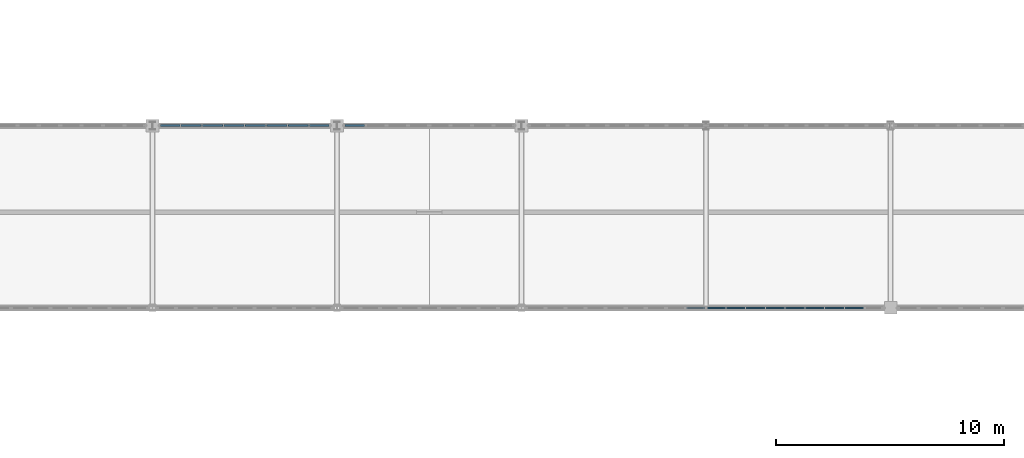
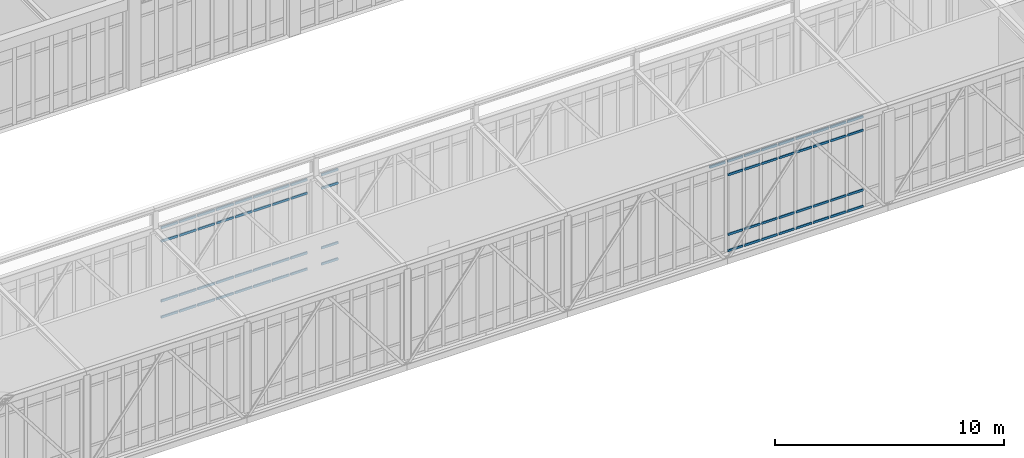
# One storey, part 58 of 107: 69 members, 4 elements without a shape of their own.
"""IFC4 building model written with IfcOpenShell, lengths in metres."""

import ifcopenshell
import ifcopenshell.guid

model = None  # the IFC model being written
_history = None  # IfcOwnerHistory: only IFC2X3 demands one
_inside = {}  # id of a spatial element -> (the spatial element, [elements in it])
_under = {}  # id of a project, library or spatial element -> (it, [spatial elements below it])
_declared = {}  # id of a project -> (the project, [libraries it declares])
_typed = {}  # id of a type object -> (the type object, [elements of that type])
_made_of = {}  # id of a material, layer set ... -> (it, [elements and type objects made of it])


def new_model(schema):
    """Start an empty IFC model of exactly this schema.

    Asked for "IFC4X3", IfcOpenShell would pick the latest addendum, in which some entities
    have other attributes; the version numbers below select the first issue.
    IFC2X3 requires an IfcOwnerHistory on every rooted entity: one is made here for all.
    """
    global model, _history
    if schema == "IFC4X3":
        model = ifcopenshell.file(schema_version=(4, 3, 0, 0))
    else:
        model = ifcopenshell.file(schema=schema)
    _inside.clear()
    _under.clear()
    _declared.clear()
    _typed.clear()
    _made_of.clear()
    _history = None
    if model.schema == "IFC2X3":
        org = make("IfcOrganization", Name="unknown")
        user = make(
            "IfcPersonAndOrganization",
            ThePerson=make("IfcPerson", FamilyName="unknown"),
            TheOrganization=org,
        )
        app = make(
            "IfcApplication",
            ApplicationDeveloper=org,
            Version="unknown",
            ApplicationFullName="unknown",
            ApplicationIdentifier="unknown",
        )
        _history = make(
            "IfcOwnerHistory",
            OwningUser=user,
            OwningApplication=app,
            ChangeAction="ADDED",
            CreationDate=0,
        )
    return model


def make(cls, **values):
    """One entity of the class cls with the attributes given. An attribute that is None is left unset."""
    return model.create_entity(
        cls, **{name: value for name, value in values.items() if value is not None}
    )


def rooted(cls, **values):
    """An entity with a GlobalId (a new one), such as an element, a storey or a relation."""
    return make(cls, GlobalId=ifcopenshell.guid.new(), OwnerHistory=_history, **values)


def si_unit(unit_type, name, prefix=None):
    """IfcSIUnit, for example si_unit("LENGTHUNIT", "METRE", prefix="MILLI")."""
    return make("IfcSIUnit", UnitType=unit_type, Prefix=prefix, Name=name)


def assignment(units):
    """IfcUnitAssignment: the units of a project."""
    return None if units is None else make("IfcUnitAssignment", Units=units)


def point(xyz):
    """IfcCartesianPoint."""
    return None if xyz is None else make("IfcCartesianPoint", Coordinates=xyz)


def direction(xyz):
    """IfcDirection."""
    return None if xyz is None else make("IfcDirection", DirectionRatios=xyz)


def frame(location, z_axis=None, x_axis=None):
    """IfcAxis2Placement3D, a coordinate frame: its origin and axes. An axis left out is left unset."""
    return make(
        "IfcAxis2Placement3D",
        Location=point(location),
        Axis=direction(z_axis),
        RefDirection=direction(x_axis),
    )


def frame_2d(location, x_axis=None):
    """IfcAxis2Placement2D, a coordinate frame in the plane: its origin and x axis."""
    return make(
        "IfcAxis2Placement2D", Location=point(location), RefDirection=direction(x_axis)
    )


def origin():
    """The frame at (0, 0, 0) with its axes left unset."""
    return frame((0.0, 0.0, 0.0))


def origin_2d():
    """The frame at (0, 0) in the plane with its x axis left unset."""
    return frame_2d((0.0, 0.0))


def place(relative_to, where):
    """IfcLocalPlacement: puts the frame where relative to a parent placement (None: the world)."""
    return make(
        "IfcLocalPlacement", PlacementRelTo=relative_to, RelativePlacement=where
    )


def context(
    kind, dimensions, precision=None, world=None, true_north=None, identifier=None
):
    """IfcGeometricRepresentationContext, for example the 3D "Model" context."""
    return make(
        "IfcGeometricRepresentationContext",
        ContextIdentifier=identifier,
        ContextType=kind,
        CoordinateSpaceDimension=dimensions,
        Precision=precision,
        WorldCoordinateSystem=world,
        TrueNorth=true_north,
    )


def subcontext(parent, identifier, kind, view, scale=None):
    """IfcGeometricRepresentationSubContext, for example "Body" below "Model"."""
    return make(
        "IfcGeometricRepresentationSubContext",
        ContextIdentifier=identifier,
        ContextType=kind,
        ParentContext=parent,
        TargetScale=scale,
        TargetView=view,
    )


def project(units=None, contexts=None):
    """IfcProject with its units and contexts."""
    return rooted(
        "IfcProject",
        Name="project",
        RepresentationContexts=contexts,
        UnitsInContext=assignment(units),
    )


def spatial(cls, under=None, at=None, **own):
    """A site, building, storey or space (cls), placed at a placement, below another one or the project."""
    s = rooted(cls, ObjectPlacement=at, **own)
    if under is not None:
        _under.setdefault(under.id(), (under, []))[1].append(s)
    return s


def profile(cls, at=None, kind="AREA", **sizes):
    """A parametric profile (cls). Its sizes go by their IFC names, for example OverallWidth=200.0."""
    return make(cls, ProfileType=kind, Position=at, **sizes)


def rectangle(**sizes):
    """IfcRectangleProfileDef."""
    return profile("IfcRectangleProfileDef", **sizes)


def extrude(swept, where, along, depth):
    """IfcExtrudedAreaSolid: the profile swept, set in the frame where, extruded along a direction by depth."""
    return make(
        "IfcExtrudedAreaSolid",
        SweptArea=swept,
        Position=where,
        ExtrudedDirection=direction(along),
        Depth=depth,
    )


def shape(context_of_items, identifier, shape_type, items):
    """IfcShapeRepresentation: the items that make up one representation, for example the "Body"."""
    return make(
        "IfcShapeRepresentation",
        ContextOfItems=context_of_items,
        RepresentationIdentifier=identifier,
        RepresentationType=shape_type,
        Items=items,
    )


def material(Name=None, Category=None):
    """IfcMaterial."""
    return make("IfcMaterial", Name=Name, Category=Category)


def material_profile(
    of_material, cross_section, Name=None, Category=None, Priority=None
):
    """IfcMaterialProfile: a cross section and its material."""
    return make(
        "IfcMaterialProfile",
        Name=Name,
        Material=of_material,
        Profile=cross_section,
        Priority=Priority,
        Category=Category,
    )


def profile_set(profiles, Name=None, composite=None):
    """IfcMaterialProfileSet."""
    return make(
        "IfcMaterialProfileSet",
        Name=Name,
        MaterialProfiles=profiles,
        CompositeProfile=composite,
    )


def made_of(thing, what):
    """Note that an element or type object is made of a material, layer set ...; save() writes the relation."""
    if what is not None:
        _made_of.setdefault(what.id(), (what, []))[1].append(thing)
    return thing


def type_object(cls, material=None, **own):
    """A type object (cls), such as IfcWallType, which elements share."""
    return made_of(rooted(cls, **own), material)


def element(
    cls,
    number,
    at=None,
    inside=None,
    cuts=None,
    type_object=None,
    material=None,
    context=None,
    identifier="Body",
    shape_type=None,
    held_by="IfcProductDefinitionShape",
    body=None,
    shapes=None,
    **own,
):
    """One element of the class cls, such as IfcWall. Its Tag is "e" and its number.

    at: its placement. inside: the storey or other place that contains it. cuts: it is an
    opening in that element (IfcRelVoidsElement). A single representation is given by context,
    identifier, shape_type and body (its items); several are given by shapes. held_by: the class
    of the entity that holds the representations. save() writes the other relations.
    """
    e = rooted(cls, Tag="e%d" % number, ObjectPlacement=at, **own)
    if body is not None:
        shapes = [shape(context, identifier, shape_type, body)]
    if shapes is not None:
        e.Representation = make(held_by, Representations=shapes)
    if inside is not None:
        _inside.setdefault(inside.id(), (inside, []))[1].append(e)
    if cuts is not None:
        rooted(
            "IfcRelVoidsElement", RelatingBuildingElement=cuts, RelatedOpeningElement=e
        )
    if type_object is not None:
        _typed.setdefault(type_object.id(), (type_object, []))[1].append(e)
    return made_of(e, material)


def aggregate(whole, parts):
    """IfcRelAggregates: a whole, such as a stair, and the parts it consists of."""
    return rooted("IfcRelAggregates", RelatingObject=whole, RelatedObjects=parts)


def save(model, path):
    """Write the relations noted so far, then the file.

    IfcRelAggregates (storeys below a building ...), IfcRelContainedInSpatialStructure (elements
    in a storey), IfcRelDefinesByType, IfcRelAssociatesMaterial and IfcRelDeclares: one each for
    every whole, place, type object, material and project.
    """
    for whole, parts in _under.values():
        aggregate(whole, parts)
    for where, things in _inside.values():
        rooted(
            "IfcRelContainedInSpatialStructure",
            RelatedElements=things,
            RelatingStructure=where,
        )
    for kind, things in _typed.values():
        rooted("IfcRelDefinesByType", RelatedObjects=things, RelatingType=kind)
    for what, things in _made_of.values():
        rooted("IfcRelAssociatesMaterial", RelatedObjects=things, RelatingMaterial=what)
    for by, libraries in _declared.values():
        rooted("IfcRelDeclares", RelatingContext=by, RelatedDefinitions=libraries)
    model.write(path)


model = new_model("IFC4")

# Units and contexts
model_context = context("Model", 3, precision=1e-05, world=origin(), true_north=direction((0.0, 1.0)))
body_context = subcontext(model_context, "Body", "Model", "MODEL_VIEW")
ifc_project = project(units=[si_unit("LENGTHUNIT", "METRE"), si_unit("AREAUNIT", "SQUARE_METRE"), si_unit("VOLUMEUNIT", "CUBIC_METRE"), si_unit("PLANEANGLEUNIT", "RADIAN"), si_unit("MASSUNIT", "GRAM", prefix="KILO")], contexts=[model_context])

# Site, building, storey
site_placement = place(None, origin())
site = spatial("IfcSite", under=ifc_project, at=site_placement, CompositionType="ELEMENT")
building_placement = place(site_placement, origin())
building = spatial("IfcBuilding", under=site, at=building_placement, Name="Tarnveldt Square Police Headquarters", CompositionType="ELEMENT")
storey_placement = place(building_placement, frame((0.0, 0.0, 14.699951171875)))
storey = spatial("IfcBuildingStorey", under=building, at=storey_placement, Name="L03", CompositionType="ELEMENT", Elevation=14.699951171875)

# Curtain wall, member
ifc_material_1 = material(Name="Triple-glazed low-e laminated vision glass", Category="glass")
curtain_wall_type_1 = type_object("IfcCurtainWallType", Name="CW-SB-793x484", PredefinedType="USERDEFINED", material=ifc_material_1)
curtain_wall_1_placement = place(storey_placement, origin())
curtain_wall_1 = element("IfcCurtainWall", 1, at=curtain_wall_1_placement, inside=storey, type_object=curtain_wall_type_1, Name="L03 Curtain Wall CW-L03-156", ObjectType="GLAZED CURTAIN WALL", PredefinedType="USERDEFINED")
ifc_material_2 = material(Name="Thermally broken anodised aluminium 6063-T6", Category="aluminium")
ifc_material_profile = material_profile(ifc_material_2, rectangle(XDim=0.06494140625, YDim=0.1201171875, at=origin_2d()), Name="CW-T65x120")
ifc_profile_set = profile_set([ifc_material_profile], Name="Thermally broken anodised aluminium 6063-T6")
member_type = type_object("IfcMemberType", Name="CWT-65x120", PredefinedType="USERDEFINED", material=ifc_profile_set)
member_1_placement = place(storey_placement, frame((88.251220703125, 72.0, 4.8076171875), z_axis=(1.0, 0.0, 0.0), x_axis=(0.0, 1.0, 0.0)))
member_1 = element("IfcMember", 2, at=member_1_placement, type_object=member_type, Name="CW-SB91 transom 9.4", ObjectType="TRANSOM", PredefinedType="USERDEFINED", context=body_context, shape_type="SweptSolid", body=[
    extrude(rectangle(XDim=0.06494140625, YDim=0.1201171875, at=origin_2d()), origin(), (0.0, 0.0, 1.0), 0.78369140625),
])
aggregate(curtain_wall_1, [member_1])

# Curtain wall, members
curtain_wall_type_2 = type_object("IfcCurtainWallType", Name="CW-SB-781x484", PredefinedType="USERDEFINED", material=ifc_material_1)
curtain_wall_2_placement = place(storey_placement, origin())
curtain_wall_2 = element("IfcCurtainWall", 3, at=curtain_wall_2_placement, inside=storey, type_object=curtain_wall_type_2, Name="L03 Curtain Wall CW-L03-157", ObjectType="GLAZED CURTAIN WALL", PredefinedType="USERDEFINED")
member_2_placement = place(storey_placement, frame((89.1650390625, 72.0, 0.032470703125), z_axis=(1.0, 0.0, 0.0), x_axis=(0.0, 1.0, 0.0)))
member_2 = element("IfcMember", 4, at=member_2_placement, type_object=member_type, Name="CW-SB92 transom 1.1", ObjectType="TRANSOM", PredefinedType="USERDEFINED", context=body_context, shape_type="SweptSolid", body=[
    extrude(rectangle(XDim=0.06494140625, YDim=0.1201171875, at=origin_2d()), origin(), (0.0, 0.0, 1.0), 0.770263671875),
])
member_3_placement = place(storey_placement, frame((89.1650390625, 72.0, 0.900146484375), z_axis=(1.0, 0.0, 0.0), x_axis=(0.0, 1.0, 0.0)))
member_3 = element("IfcMember", 5, at=member_3_placement, type_object=member_type, Name="CW-SB92 transom 1.2", ObjectType="TRANSOM", PredefinedType="USERDEFINED", context=body_context, shape_type="SweptSolid", body=[
    extrude(rectangle(XDim=0.06494140625, YDim=0.1201171875, at=origin_2d()), origin(), (0.0, 0.0, 1.0), 0.770263671875),
])
member_4_placement = place(storey_placement, frame((89.1650390625, 72.0, 4.090087890625), z_axis=(1.0, 0.0, 0.0), x_axis=(0.0, 1.0, 0.0)))
member_4 = element("IfcMember", 6, at=member_4_placement, type_object=member_type, Name="CW-SB92 transom 1.3", ObjectType="TRANSOM", PredefinedType="USERDEFINED", context=body_context, shape_type="SweptSolid", body=[
    extrude(rectangle(XDim=0.06494140625, YDim=0.1201171875, at=origin_2d()), origin(), (0.0, 0.0, 1.0), 0.770263671875),
])
member_5_placement = place(storey_placement, frame((89.1650390625, 72.0, 4.8076171875), z_axis=(1.0, 0.0, 0.0), x_axis=(0.0, 1.0, 0.0)))
member_5 = element("IfcMember", 7, at=member_5_placement, type_object=member_type, Name="CW-SB92 transom 1.4", ObjectType="TRANSOM", PredefinedType="USERDEFINED", context=body_context, shape_type="SweptSolid", body=[
    extrude(rectangle(XDim=0.06494140625, YDim=0.1201171875, at=origin_2d()), origin(), (0.0, 0.0, 1.0), 0.770263671875),
])
member_6_placement = place(storey_placement, frame((90.000244140625, 72.0, 0.032470703125), z_axis=(1.0, 0.0, 0.0), x_axis=(0.0, 1.0, 0.0)))
member_6 = element("IfcMember", 8, at=member_6_placement, type_object=member_type, Name="CW-SB92 transom 2.1", ObjectType="TRANSOM", PredefinedType="USERDEFINED", context=body_context, shape_type="SweptSolid", body=[
    extrude(rectangle(XDim=0.06494140625, YDim=0.1201171875, at=origin_2d()), origin(), (0.0, 0.0, 1.0), 0.802734375),
])
member_7_placement = place(storey_placement, frame((90.000244140625, 72.0, 0.900146484375), z_axis=(1.0, 0.0, 0.0), x_axis=(0.0, 1.0, 0.0)))
member_7 = element("IfcMember", 9, at=member_7_placement, type_object=member_type, Name="CW-SB92 transom 2.2", ObjectType="TRANSOM", PredefinedType="USERDEFINED", context=body_context, shape_type="SweptSolid", body=[
    extrude(rectangle(XDim=0.06494140625, YDim=0.1201171875, at=origin_2d()), origin(), (0.0, 0.0, 1.0), 0.802734375),
])
member_8_placement = place(storey_placement, frame((90.000244140625, 72.0, 4.090087890625), z_axis=(1.0, 0.0, 0.0), x_axis=(0.0, 1.0, 0.0)))
member_8 = element("IfcMember", 10, at=member_8_placement, type_object=member_type, Name="CW-SB92 transom 2.3", ObjectType="TRANSOM", PredefinedType="USERDEFINED", context=body_context, shape_type="SweptSolid", body=[
    extrude(rectangle(XDim=0.06494140625, YDim=0.1201171875, at=origin_2d()), origin(), (0.0, 0.0, 1.0), 0.802734375),
])
member_9_placement = place(storey_placement, frame((90.000244140625, 72.0, 4.8076171875), z_axis=(1.0, 0.0, 0.0), x_axis=(0.0, 1.0, 0.0)))
member_9 = element("IfcMember", 11, at=member_9_placement, type_object=member_type, Name="CW-SB92 transom 2.4", ObjectType="TRANSOM", PredefinedType="USERDEFINED", context=body_context, shape_type="SweptSolid", body=[
    extrude(rectangle(XDim=0.06494140625, YDim=0.1201171875, at=origin_2d()), origin(), (0.0, 0.0, 1.0), 0.802734375),
])
member_10_placement = place(storey_placement, frame((90.8681640625, 72.0, 0.032470703125), z_axis=(1.0, 0.0, 0.0), x_axis=(0.0, 1.0, 0.0)))
member_10 = element("IfcMember", 12, at=member_10_placement, type_object=member_type, Name="CW-SB92 transom 3.1", ObjectType="TRANSOM", PredefinedType="USERDEFINED", context=body_context, shape_type="SweptSolid", body=[
    extrude(rectangle(XDim=0.06494140625, YDim=0.1201171875, at=origin_2d()), origin(), (0.0, 0.0, 1.0), 0.802734375),
])
member_11_placement = place(storey_placement, frame((90.8681640625, 72.0, 0.900146484375), z_axis=(1.0, 0.0, 0.0), x_axis=(0.0, 1.0, 0.0)))
member_11 = element("IfcMember", 13, at=member_11_placement, type_object=member_type, Name="CW-SB92 transom 3.2", ObjectType="TRANSOM", PredefinedType="USERDEFINED", context=body_context, shape_type="SweptSolid", body=[
    extrude(rectangle(XDim=0.06494140625, YDim=0.1201171875, at=origin_2d()), origin(), (0.0, 0.0, 1.0), 0.802734375),
])
member_12_placement = place(storey_placement, frame((90.8681640625, 72.0, 4.090087890625), z_axis=(1.0, 0.0, 0.0), x_axis=(0.0, 1.0, 0.0)))
member_12 = element("IfcMember", 14, at=member_12_placement, type_object=member_type, Name="CW-SB92 transom 3.3", ObjectType="TRANSOM", PredefinedType="USERDEFINED", context=body_context, shape_type="SweptSolid", body=[
    extrude(rectangle(XDim=0.06494140625, YDim=0.1201171875, at=origin_2d()), origin(), (0.0, 0.0, 1.0), 0.802734375),
])
member_13_placement = place(storey_placement, frame((90.8681640625, 72.0, 4.8076171875), z_axis=(1.0, 0.0, 0.0), x_axis=(0.0, 1.0, 0.0)))
member_13 = element("IfcMember", 15, at=member_13_placement, type_object=member_type, Name="CW-SB92 transom 3.4", ObjectType="TRANSOM", PredefinedType="USERDEFINED", context=body_context, shape_type="SweptSolid", body=[
    extrude(rectangle(XDim=0.06494140625, YDim=0.1201171875, at=origin_2d()), origin(), (0.0, 0.0, 1.0), 0.802734375),
])
member_14_placement = place(storey_placement, frame((91.73583984375, 72.0, 0.032470703125), z_axis=(1.0, 0.0, 0.0), x_axis=(0.0, 1.0, 0.0)))
member_14 = element("IfcMember", 16, at=member_14_placement, type_object=member_type, Name="CW-SB92 transom 4.1", ObjectType="TRANSOM", PredefinedType="USERDEFINED", context=body_context, shape_type="SweptSolid", body=[
    extrude(rectangle(XDim=0.06494140625, YDim=0.1201171875, at=origin_2d()), origin(), (0.0, 0.0, 1.0), 0.802734375),
])
member_15_placement = place(storey_placement, frame((91.73583984375, 72.0, 0.900146484375), z_axis=(1.0, 0.0, 0.0), x_axis=(0.0, 1.0, 0.0)))
member_15 = element("IfcMember", 17, at=member_15_placement, type_object=member_type, Name="CW-SB92 transom 4.2", ObjectType="TRANSOM", PredefinedType="USERDEFINED", context=body_context, shape_type="SweptSolid", body=[
    extrude(rectangle(XDim=0.06494140625, YDim=0.1201171875, at=origin_2d()), origin(), (0.0, 0.0, 1.0), 0.802734375),
])
member_16_placement = place(storey_placement, frame((91.73583984375, 72.0, 4.090087890625), z_axis=(1.0, 0.0, 0.0), x_axis=(0.0, 1.0, 0.0)))
member_16 = element("IfcMember", 18, at=member_16_placement, type_object=member_type, Name="CW-SB92 transom 4.3", ObjectType="TRANSOM", PredefinedType="USERDEFINED", context=body_context, shape_type="SweptSolid", body=[
    extrude(rectangle(XDim=0.06494140625, YDim=0.1201171875, at=origin_2d()), origin(), (0.0, 0.0, 1.0), 0.802734375),
])
member_17_placement = place(storey_placement, frame((91.73583984375, 72.0, 4.8076171875), z_axis=(1.0, 0.0, 0.0), x_axis=(0.0, 1.0, 0.0)))
member_17 = element("IfcMember", 19, at=member_17_placement, type_object=member_type, Name="CW-SB92 transom 4.4", ObjectType="TRANSOM", PredefinedType="USERDEFINED", context=body_context, shape_type="SweptSolid", body=[
    extrude(rectangle(XDim=0.06494140625, YDim=0.1201171875, at=origin_2d()), origin(), (0.0, 0.0, 1.0), 0.802734375),
])
member_18_placement = place(storey_placement, frame((92.603515625, 72.0, 0.032470703125), z_axis=(1.0, 0.0, 0.0), x_axis=(0.0, 1.0, 0.0)))
member_18 = element("IfcMember", 20, at=member_18_placement, type_object=member_type, Name="CW-SB92 transom 5.1", ObjectType="TRANSOM", PredefinedType="USERDEFINED", context=body_context, shape_type="SweptSolid", body=[
    extrude(rectangle(XDim=0.06494140625, YDim=0.1201171875, at=origin_2d()), origin(), (0.0, 0.0, 1.0), 0.802978515625),
])
member_19_placement = place(storey_placement, frame((92.603515625, 72.0, 0.900146484375), z_axis=(1.0, 0.0, 0.0), x_axis=(0.0, 1.0, 0.0)))
member_19 = element("IfcMember", 21, at=member_19_placement, type_object=member_type, Name="CW-SB92 transom 5.2", ObjectType="TRANSOM", PredefinedType="USERDEFINED", context=body_context, shape_type="SweptSolid", body=[
    extrude(rectangle(XDim=0.06494140625, YDim=0.1201171875, at=origin_2d()), origin(), (0.0, 0.0, 1.0), 0.802978515625),
])
member_20_placement = place(storey_placement, frame((92.603515625, 72.0, 4.090087890625), z_axis=(1.0, 0.0, 0.0), x_axis=(0.0, 1.0, 0.0)))
member_20 = element("IfcMember", 22, at=member_20_placement, type_object=member_type, Name="CW-SB92 transom 5.3", ObjectType="TRANSOM", PredefinedType="USERDEFINED", context=body_context, shape_type="SweptSolid", body=[
    extrude(rectangle(XDim=0.06494140625, YDim=0.1201171875, at=origin_2d()), origin(), (0.0, 0.0, 1.0), 0.802978515625),
])
member_21_placement = place(storey_placement, frame((92.603515625, 72.0, 4.8076171875), z_axis=(1.0, 0.0, 0.0), x_axis=(0.0, 1.0, 0.0)))
member_21 = element("IfcMember", 23, at=member_21_placement, type_object=member_type, Name="CW-SB92 transom 5.4", ObjectType="TRANSOM", PredefinedType="USERDEFINED", context=body_context, shape_type="SweptSolid", body=[
    extrude(rectangle(XDim=0.06494140625, YDim=0.1201171875, at=origin_2d()), origin(), (0.0, 0.0, 1.0), 0.802978515625),
])
member_22_placement = place(storey_placement, frame((93.471435546875, 72.0, 0.032470703125), z_axis=(1.0, 0.0, 0.0), x_axis=(0.0, 1.0, 0.0)))
member_22 = element("IfcMember", 24, at=member_22_placement, type_object=member_type, Name="CW-SB92 transom 6.1", ObjectType="TRANSOM", PredefinedType="USERDEFINED", context=body_context, shape_type="SweptSolid", body=[
    extrude(rectangle(XDim=0.06494140625, YDim=0.1201171875, at=origin_2d()), origin(), (0.0, 0.0, 1.0), 0.802734375),
])
member_23_placement = place(storey_placement, frame((93.471435546875, 72.0, 0.900146484375), z_axis=(1.0, 0.0, 0.0), x_axis=(0.0, 1.0, 0.0)))
member_23 = element("IfcMember", 25, at=member_23_placement, type_object=member_type, Name="CW-SB92 transom 6.2", ObjectType="TRANSOM", PredefinedType="USERDEFINED", context=body_context, shape_type="SweptSolid", body=[
    extrude(rectangle(XDim=0.06494140625, YDim=0.1201171875, at=origin_2d()), origin(), (0.0, 0.0, 1.0), 0.802734375),
])
member_24_placement = place(storey_placement, frame((93.471435546875, 72.0, 4.090087890625), z_axis=(1.0, 0.0, 0.0), x_axis=(0.0, 1.0, 0.0)))
member_24 = element("IfcMember", 26, at=member_24_placement, type_object=member_type, Name="CW-SB92 transom 6.3", ObjectType="TRANSOM", PredefinedType="USERDEFINED", context=body_context, shape_type="SweptSolid", body=[
    extrude(rectangle(XDim=0.06494140625, YDim=0.1201171875, at=origin_2d()), origin(), (0.0, 0.0, 1.0), 0.802734375),
])
member_25_placement = place(storey_placement, frame((93.471435546875, 72.0, 4.8076171875), z_axis=(1.0, 0.0, 0.0), x_axis=(0.0, 1.0, 0.0)))
member_25 = element("IfcMember", 27, at=member_25_placement, type_object=member_type, Name="CW-SB92 transom 6.4", ObjectType="TRANSOM", PredefinedType="USERDEFINED", context=body_context, shape_type="SweptSolid", body=[
    extrude(rectangle(XDim=0.06494140625, YDim=0.1201171875, at=origin_2d()), origin(), (0.0, 0.0, 1.0), 0.802734375),
])
member_26_placement = place(storey_placement, frame((94.339111328125, 72.0, 0.032470703125), z_axis=(1.0, 0.0, 0.0), x_axis=(0.0, 1.0, 0.0)))
member_26 = element("IfcMember", 28, at=member_26_placement, type_object=member_type, Name="CW-SB92 transom 7.1", ObjectType="TRANSOM", PredefinedType="USERDEFINED", context=body_context, shape_type="SweptSolid", body=[
    extrude(rectangle(XDim=0.06494140625, YDim=0.1201171875, at=origin_2d()), origin(), (0.0, 0.0, 1.0), 0.802734375),
])
member_27_placement = place(storey_placement, frame((94.339111328125, 72.0, 0.900146484375), z_axis=(1.0, 0.0, 0.0), x_axis=(0.0, 1.0, 0.0)))
member_27 = element("IfcMember", 29, at=member_27_placement, type_object=member_type, Name="CW-SB92 transom 7.2", ObjectType="TRANSOM", PredefinedType="USERDEFINED", context=body_context, shape_type="SweptSolid", body=[
    extrude(rectangle(XDim=0.06494140625, YDim=0.1201171875, at=origin_2d()), origin(), (0.0, 0.0, 1.0), 0.802734375),
])
member_28_placement = place(storey_placement, frame((94.339111328125, 72.0, 4.090087890625), z_axis=(1.0, 0.0, 0.0), x_axis=(0.0, 1.0, 0.0)))
member_28 = element("IfcMember", 30, at=member_28_placement, type_object=member_type, Name="CW-SB92 transom 7.3", ObjectType="TRANSOM", PredefinedType="USERDEFINED", context=body_context, shape_type="SweptSolid", body=[
    extrude(rectangle(XDim=0.06494140625, YDim=0.1201171875, at=origin_2d()), origin(), (0.0, 0.0, 1.0), 0.802734375),
])
member_29_placement = place(storey_placement, frame((94.339111328125, 72.0, 4.8076171875), z_axis=(1.0, 0.0, 0.0), x_axis=(0.0, 1.0, 0.0)))
member_29 = element("IfcMember", 31, at=member_29_placement, type_object=member_type, Name="CW-SB92 transom 7.4", ObjectType="TRANSOM", PredefinedType="USERDEFINED", context=body_context, shape_type="SweptSolid", body=[
    extrude(rectangle(XDim=0.06494140625, YDim=0.1201171875, at=origin_2d()), origin(), (0.0, 0.0, 1.0), 0.802734375),
])
member_30_placement = place(storey_placement, frame((95.20703125, 72.0, 0.032470703125), z_axis=(1.0, 0.0, 0.0), x_axis=(0.0, 1.0, 0.0)))
member_30 = element("IfcMember", 32, at=member_30_placement, type_object=member_type, Name="CW-SB92 transom 8.1", ObjectType="TRANSOM", PredefinedType="USERDEFINED", context=body_context, shape_type="SweptSolid", body=[
    extrude(rectangle(XDim=0.06494140625, YDim=0.1201171875, at=origin_2d()), origin(), (0.0, 0.0, 1.0), 0.802734375),
])
member_31_placement = place(storey_placement, frame((95.20703125, 72.0, 0.900146484375), z_axis=(1.0, 0.0, 0.0), x_axis=(0.0, 1.0, 0.0)))
member_31 = element("IfcMember", 33, at=member_31_placement, type_object=member_type, Name="CW-SB92 transom 8.2", ObjectType="TRANSOM", PredefinedType="USERDEFINED", context=body_context, shape_type="SweptSolid", body=[
    extrude(rectangle(XDim=0.06494140625, YDim=0.1201171875, at=origin_2d()), origin(), (0.0, 0.0, 1.0), 0.802734375),
])
member_32_placement = place(storey_placement, frame((95.20703125, 72.0, 4.090087890625), z_axis=(1.0, 0.0, 0.0), x_axis=(0.0, 1.0, 0.0)))
member_32 = element("IfcMember", 34, at=member_32_placement, type_object=member_type, Name="CW-SB92 transom 8.3", ObjectType="TRANSOM", PredefinedType="USERDEFINED", context=body_context, shape_type="SweptSolid", body=[
    extrude(rectangle(XDim=0.06494140625, YDim=0.1201171875, at=origin_2d()), origin(), (0.0, 0.0, 1.0), 0.802734375),
])
member_33_placement = place(storey_placement, frame((95.20703125, 72.0, 4.8076171875), z_axis=(1.0, 0.0, 0.0), x_axis=(0.0, 1.0, 0.0)))
member_33 = element("IfcMember", 35, at=member_33_placement, type_object=member_type, Name="CW-SB92 transom 8.4", ObjectType="TRANSOM", PredefinedType="USERDEFINED", context=body_context, shape_type="SweptSolid", body=[
    extrude(rectangle(XDim=0.06494140625, YDim=0.1201171875, at=origin_2d()), origin(), (0.0, 0.0, 1.0), 0.802734375),
])
aggregate(curtain_wall_2, [member_2, member_3, member_4, member_5, member_6, member_7, member_8, member_9, member_10, member_11, member_12, member_13, member_14, member_15, member_16, member_17, member_18, member_19, member_20, member_21, member_22, member_23, member_24, member_25, member_26, member_27, member_28, member_29, member_30, member_31, member_32, member_33])

curtain_wall_type_3 = type_object("IfcCurtainWallType", Name="CW-SB-752x484", PredefinedType="USERDEFINED", material=ifc_material_1)
curtain_wall_3_placement = place(storey_placement, origin())
curtain_wall_3 = element("IfcCurtainWall", 36, at=curtain_wall_3_placement, inside=storey, type_object=curtain_wall_type_3, Name="L03 Curtain Wall CW-L03-161", ObjectType="GLAZED CURTAIN WALL", PredefinedType="USERDEFINED")
member_34_placement = place(storey_placement, frame((65.155029296875, 80.0, 0.032470703125), z_axis=(1.0, 0.0, 0.0), x_axis=(0.0, 1.0, 0.0)))
member_34 = element("IfcMember", 37, at=member_34_placement, type_object=member_type, Name="CW-SB95 transom 1.1", ObjectType="TRANSOM", PredefinedType="USERDEFINED", context=body_context, shape_type="SweptSolid", body=[
    extrude(rectangle(XDim=0.06494140625, YDim=0.1201171875, at=origin_2d()), origin(), (0.0, 0.0, 1.0), 0.842529296875),
])
member_35_placement = place(storey_placement, frame((65.155029296875, 80.0, 0.900146484375), z_axis=(1.0, 0.0, 0.0), x_axis=(0.0, 1.0, 0.0)))
member_35 = element("IfcMember", 38, at=member_35_placement, type_object=member_type, Name="CW-SB95 transom 1.2", ObjectType="TRANSOM", PredefinedType="USERDEFINED", context=body_context, shape_type="SweptSolid", body=[
    extrude(rectangle(XDim=0.06494140625, YDim=0.1201171875, at=origin_2d()), origin(), (0.0, 0.0, 1.0), 0.842529296875),
])
member_36_placement = place(storey_placement, frame((65.155029296875, 80.0, 4.090087890625), z_axis=(1.0, 0.0, 0.0), x_axis=(0.0, 1.0, 0.0)))
member_36 = element("IfcMember", 39, at=member_36_placement, type_object=member_type, Name="CW-SB95 transom 1.3", ObjectType="TRANSOM", PredefinedType="USERDEFINED", context=body_context, shape_type="SweptSolid", body=[
    extrude(rectangle(XDim=0.06494140625, YDim=0.1201171875, at=origin_2d()), origin(), (0.0, 0.0, 1.0), 0.842529296875),
])
member_37_placement = place(storey_placement, frame((65.155029296875, 80.0, 4.8076171875), z_axis=(1.0, 0.0, 0.0), x_axis=(0.0, 1.0, 0.0)))
member_37 = element("IfcMember", 40, at=member_37_placement, type_object=member_type, Name="CW-SB95 transom 1.4", ObjectType="TRANSOM", PredefinedType="USERDEFINED", context=body_context, shape_type="SweptSolid", body=[
    extrude(rectangle(XDim=0.06494140625, YDim=0.1201171875, at=origin_2d()), origin(), (0.0, 0.0, 1.0), 0.842529296875),
])
member_38_placement = place(storey_placement, frame((66.0625, 80.0, 0.032470703125), z_axis=(1.0, 0.0, 0.0), x_axis=(0.0, 1.0, 0.0)))
member_38 = element("IfcMember", 41, at=member_38_placement, type_object=member_type, Name="CW-SB95 transom 2.1", ObjectType="TRANSOM", PredefinedType="USERDEFINED", context=body_context, shape_type="SweptSolid", body=[
    extrude(rectangle(XDim=0.06494140625, YDim=0.1201171875, at=origin_2d()), origin(), (0.0, 0.0, 1.0), 0.875),
])
member_39_placement = place(storey_placement, frame((66.0625, 80.0, 0.900146484375), z_axis=(1.0, 0.0, 0.0), x_axis=(0.0, 1.0, 0.0)))
member_39 = element("IfcMember", 42, at=member_39_placement, type_object=member_type, Name="CW-SB95 transom 2.2", ObjectType="TRANSOM", PredefinedType="USERDEFINED", context=body_context, shape_type="SweptSolid", body=[
    extrude(rectangle(XDim=0.06494140625, YDim=0.1201171875, at=origin_2d()), origin(), (0.0, 0.0, 1.0), 0.875),
])
member_40_placement = place(storey_placement, frame((66.0625, 80.0, 4.090087890625), z_axis=(1.0, 0.0, 0.0), x_axis=(0.0, 1.0, 0.0)))
member_40 = element("IfcMember", 43, at=member_40_placement, type_object=member_type, Name="CW-SB95 transom 2.3", ObjectType="TRANSOM", PredefinedType="USERDEFINED", context=body_context, shape_type="SweptSolid", body=[
    extrude(rectangle(XDim=0.06494140625, YDim=0.1201171875, at=origin_2d()), origin(), (0.0, 0.0, 1.0), 0.875),
])
member_41_placement = place(storey_placement, frame((66.0625, 80.0, 4.8076171875), z_axis=(1.0, 0.0, 0.0), x_axis=(0.0, 1.0, 0.0)))
member_41 = element("IfcMember", 44, at=member_41_placement, type_object=member_type, Name="CW-SB95 transom 2.4", ObjectType="TRANSOM", PredefinedType="USERDEFINED", context=body_context, shape_type="SweptSolid", body=[
    extrude(rectangle(XDim=0.06494140625, YDim=0.1201171875, at=origin_2d()), origin(), (0.0, 0.0, 1.0), 0.875),
])
member_42_placement = place(storey_placement, frame((67.00244140625, 80.0, 0.032470703125), z_axis=(1.0, 0.0, 0.0), x_axis=(0.0, 1.0, 0.0)))
member_42 = element("IfcMember", 45, at=member_42_placement, type_object=member_type, Name="CW-SB95 transom 3.1", ObjectType="TRANSOM", PredefinedType="USERDEFINED", context=body_context, shape_type="SweptSolid", body=[
    extrude(rectangle(XDim=0.06494140625, YDim=0.1201171875, at=origin_2d()), origin(), (0.0, 0.0, 1.0), 0.875),
])
member_43_placement = place(storey_placement, frame((67.00244140625, 80.0, 0.900146484375), z_axis=(1.0, 0.0, 0.0), x_axis=(0.0, 1.0, 0.0)))
member_43 = element("IfcMember", 46, at=member_43_placement, type_object=member_type, Name="CW-SB95 transom 3.2", ObjectType="TRANSOM", PredefinedType="USERDEFINED", context=body_context, shape_type="SweptSolid", body=[
    extrude(rectangle(XDim=0.06494140625, YDim=0.1201171875, at=origin_2d()), origin(), (0.0, 0.0, 1.0), 0.875),
])
member_44_placement = place(storey_placement, frame((67.00244140625, 80.0, 4.090087890625), z_axis=(1.0, 0.0, 0.0), x_axis=(0.0, 1.0, 0.0)))
member_44 = element("IfcMember", 47, at=member_44_placement, type_object=member_type, Name="CW-SB95 transom 3.3", ObjectType="TRANSOM", PredefinedType="USERDEFINED", context=body_context, shape_type="SweptSolid", body=[
    extrude(rectangle(XDim=0.06494140625, YDim=0.1201171875, at=origin_2d()), origin(), (0.0, 0.0, 1.0), 0.875),
])
member_45_placement = place(storey_placement, frame((67.00244140625, 80.0, 4.8076171875), z_axis=(1.0, 0.0, 0.0), x_axis=(0.0, 1.0, 0.0)))
member_45 = element("IfcMember", 48, at=member_45_placement, type_object=member_type, Name="CW-SB95 transom 3.4", ObjectType="TRANSOM", PredefinedType="USERDEFINED", context=body_context, shape_type="SweptSolid", body=[
    extrude(rectangle(XDim=0.06494140625, YDim=0.1201171875, at=origin_2d()), origin(), (0.0, 0.0, 1.0), 0.875),
])
member_46_placement = place(storey_placement, frame((67.9423828125, 80.0, 0.032470703125), z_axis=(1.0, 0.0, 0.0), x_axis=(0.0, 1.0, 0.0)))
member_46 = element("IfcMember", 49, at=member_46_placement, type_object=member_type, Name="CW-SB95 transom 4.1", ObjectType="TRANSOM", PredefinedType="USERDEFINED", context=body_context, shape_type="SweptSolid", body=[
    extrude(rectangle(XDim=0.06494140625, YDim=0.1201171875, at=origin_2d()), origin(), (0.0, 0.0, 1.0), 0.875),
])
member_47_placement = place(storey_placement, frame((67.9423828125, 80.0, 0.900146484375), z_axis=(1.0, 0.0, 0.0), x_axis=(0.0, 1.0, 0.0)))
member_47 = element("IfcMember", 50, at=member_47_placement, type_object=member_type, Name="CW-SB95 transom 4.2", ObjectType="TRANSOM", PredefinedType="USERDEFINED", context=body_context, shape_type="SweptSolid", body=[
    extrude(rectangle(XDim=0.06494140625, YDim=0.1201171875, at=origin_2d()), origin(), (0.0, 0.0, 1.0), 0.875),
])
member_48_placement = place(storey_placement, frame((67.9423828125, 80.0, 4.090087890625), z_axis=(1.0, 0.0, 0.0), x_axis=(0.0, 1.0, 0.0)))
member_48 = element("IfcMember", 51, at=member_48_placement, type_object=member_type, Name="CW-SB95 transom 4.3", ObjectType="TRANSOM", PredefinedType="USERDEFINED", context=body_context, shape_type="SweptSolid", body=[
    extrude(rectangle(XDim=0.06494140625, YDim=0.1201171875, at=origin_2d()), origin(), (0.0, 0.0, 1.0), 0.875),
])
member_49_placement = place(storey_placement, frame((67.9423828125, 80.0, 4.8076171875), z_axis=(1.0, 0.0, 0.0), x_axis=(0.0, 1.0, 0.0)))
member_49 = element("IfcMember", 52, at=member_49_placement, type_object=member_type, Name="CW-SB95 transom 4.4", ObjectType="TRANSOM", PredefinedType="USERDEFINED", context=body_context, shape_type="SweptSolid", body=[
    extrude(rectangle(XDim=0.06494140625, YDim=0.1201171875, at=origin_2d()), origin(), (0.0, 0.0, 1.0), 0.875),
])
member_50_placement = place(storey_placement, frame((68.882568359375, 80.0, 0.032470703125), z_axis=(1.0, 0.0, 0.0), x_axis=(0.0, 1.0, 0.0)))
member_50 = element("IfcMember", 53, at=member_50_placement, type_object=member_type, Name="CW-SB95 transom 5.1", ObjectType="TRANSOM", PredefinedType="USERDEFINED", context=body_context, shape_type="SweptSolid", body=[
    extrude(rectangle(XDim=0.06494140625, YDim=0.1201171875, at=origin_2d()), origin(), (0.0, 0.0, 1.0), 0.875),
])
member_51_placement = place(storey_placement, frame((68.882568359375, 80.0, 0.900146484375), z_axis=(1.0, 0.0, 0.0), x_axis=(0.0, 1.0, 0.0)))
member_51 = element("IfcMember", 54, at=member_51_placement, type_object=member_type, Name="CW-SB95 transom 5.2", ObjectType="TRANSOM", PredefinedType="USERDEFINED", context=body_context, shape_type="SweptSolid", body=[
    extrude(rectangle(XDim=0.06494140625, YDim=0.1201171875, at=origin_2d()), origin(), (0.0, 0.0, 1.0), 0.875),
])
member_52_placement = place(storey_placement, frame((68.882568359375, 80.0, 4.090087890625), z_axis=(1.0, 0.0, 0.0), x_axis=(0.0, 1.0, 0.0)))
member_52 = element("IfcMember", 55, at=member_52_placement, type_object=member_type, Name="CW-SB95 transom 5.3", ObjectType="TRANSOM", PredefinedType="USERDEFINED", context=body_context, shape_type="SweptSolid", body=[
    extrude(rectangle(XDim=0.06494140625, YDim=0.1201171875, at=origin_2d()), origin(), (0.0, 0.0, 1.0), 0.875),
])
member_53_placement = place(storey_placement, frame((68.882568359375, 80.0, 4.8076171875), z_axis=(1.0, 0.0, 0.0), x_axis=(0.0, 1.0, 0.0)))
member_53 = element("IfcMember", 56, at=member_53_placement, type_object=member_type, Name="CW-SB95 transom 5.4", ObjectType="TRANSOM", PredefinedType="USERDEFINED", context=body_context, shape_type="SweptSolid", body=[
    extrude(rectangle(XDim=0.06494140625, YDim=0.1201171875, at=origin_2d()), origin(), (0.0, 0.0, 1.0), 0.875),
])
member_54_placement = place(storey_placement, frame((69.822509765625, 80.0, 0.032470703125), z_axis=(1.0, 0.0, 0.0), x_axis=(0.0, 1.0, 0.0)))
member_54 = element("IfcMember", 57, at=member_54_placement, type_object=member_type, Name="CW-SB95 transom 6.1", ObjectType="TRANSOM", PredefinedType="USERDEFINED", context=body_context, shape_type="SweptSolid", body=[
    extrude(rectangle(XDim=0.06494140625, YDim=0.1201171875, at=origin_2d()), origin(), (0.0, 0.0, 1.0), 0.875),
])
member_55_placement = place(storey_placement, frame((69.822509765625, 80.0, 0.900146484375), z_axis=(1.0, 0.0, 0.0), x_axis=(0.0, 1.0, 0.0)))
member_55 = element("IfcMember", 58, at=member_55_placement, type_object=member_type, Name="CW-SB95 transom 6.2", ObjectType="TRANSOM", PredefinedType="USERDEFINED", context=body_context, shape_type="SweptSolid", body=[
    extrude(rectangle(XDim=0.06494140625, YDim=0.1201171875, at=origin_2d()), origin(), (0.0, 0.0, 1.0), 0.875),
])
member_56_placement = place(storey_placement, frame((69.822509765625, 80.0, 4.090087890625), z_axis=(1.0, 0.0, 0.0), x_axis=(0.0, 1.0, 0.0)))
member_56 = element("IfcMember", 59, at=member_56_placement, type_object=member_type, Name="CW-SB95 transom 6.3", ObjectType="TRANSOM", PredefinedType="USERDEFINED", context=body_context, shape_type="SweptSolid", body=[
    extrude(rectangle(XDim=0.06494140625, YDim=0.1201171875, at=origin_2d()), origin(), (0.0, 0.0, 1.0), 0.875),
])
member_57_placement = place(storey_placement, frame((69.822509765625, 80.0, 4.8076171875), z_axis=(1.0, 0.0, 0.0), x_axis=(0.0, 1.0, 0.0)))
member_57 = element("IfcMember", 60, at=member_57_placement, type_object=member_type, Name="CW-SB95 transom 6.4", ObjectType="TRANSOM", PredefinedType="USERDEFINED", context=body_context, shape_type="SweptSolid", body=[
    extrude(rectangle(XDim=0.06494140625, YDim=0.1201171875, at=origin_2d()), origin(), (0.0, 0.0, 1.0), 0.875),
])
member_58_placement = place(storey_placement, frame((70.762451171875, 80.0, 0.032470703125), z_axis=(1.0, 0.0, 0.0), x_axis=(0.0, 1.0, 0.0)))
member_58 = element("IfcMember", 61, at=member_58_placement, type_object=member_type, Name="CW-SB95 transom 7.1", ObjectType="TRANSOM", PredefinedType="USERDEFINED", context=body_context, shape_type="SweptSolid", body=[
    extrude(rectangle(XDim=0.06494140625, YDim=0.1201171875, at=origin_2d()), origin(), (0.0, 0.0, 1.0), 0.875),
])
member_59_placement = place(storey_placement, frame((70.762451171875, 80.0, 0.900146484375), z_axis=(1.0, 0.0, 0.0), x_axis=(0.0, 1.0, 0.0)))
member_59 = element("IfcMember", 62, at=member_59_placement, type_object=member_type, Name="CW-SB95 transom 7.2", ObjectType="TRANSOM", PredefinedType="USERDEFINED", context=body_context, shape_type="SweptSolid", body=[
    extrude(rectangle(XDim=0.06494140625, YDim=0.1201171875, at=origin_2d()), origin(), (0.0, 0.0, 1.0), 0.875),
])
member_60_placement = place(storey_placement, frame((70.762451171875, 80.0, 4.090087890625), z_axis=(1.0, 0.0, 0.0), x_axis=(0.0, 1.0, 0.0)))
member_60 = element("IfcMember", 63, at=member_60_placement, type_object=member_type, Name="CW-SB95 transom 7.3", ObjectType="TRANSOM", PredefinedType="USERDEFINED", context=body_context, shape_type="SweptSolid", body=[
    extrude(rectangle(XDim=0.06494140625, YDim=0.1201171875, at=origin_2d()), origin(), (0.0, 0.0, 1.0), 0.875),
])
member_61_placement = place(storey_placement, frame((70.762451171875, 80.0, 4.8076171875), z_axis=(1.0, 0.0, 0.0), x_axis=(0.0, 1.0, 0.0)))
member_61 = element("IfcMember", 64, at=member_61_placement, type_object=member_type, Name="CW-SB95 transom 7.4", ObjectType="TRANSOM", PredefinedType="USERDEFINED", context=body_context, shape_type="SweptSolid", body=[
    extrude(rectangle(XDim=0.06494140625, YDim=0.1201171875, at=origin_2d()), origin(), (0.0, 0.0, 1.0), 0.875),
])
member_62_placement = place(storey_placement, frame((71.702392578125, 80.0, 0.032470703125), z_axis=(1.0, 0.0, 0.0), x_axis=(0.0, 1.0, 0.0)))
member_62 = element("IfcMember", 65, at=member_62_placement, type_object=member_type, Name="CW-SB95 transom 8.1", ObjectType="TRANSOM", PredefinedType="USERDEFINED", context=body_context, shape_type="SweptSolid", body=[
    extrude(rectangle(XDim=0.06494140625, YDim=0.1201171875, at=origin_2d()), origin(), (0.0, 0.0, 1.0), 0.842529296875),
])
member_63_placement = place(storey_placement, frame((71.702392578125, 80.0, 0.900146484375), z_axis=(1.0, 0.0, 0.0), x_axis=(0.0, 1.0, 0.0)))
member_63 = element("IfcMember", 66, at=member_63_placement, type_object=member_type, Name="CW-SB95 transom 8.2", ObjectType="TRANSOM", PredefinedType="USERDEFINED", context=body_context, shape_type="SweptSolid", body=[
    extrude(rectangle(XDim=0.06494140625, YDim=0.1201171875, at=origin_2d()), origin(), (0.0, 0.0, 1.0), 0.842529296875),
])
member_64_placement = place(storey_placement, frame((71.702392578125, 80.0, 4.090087890625), z_axis=(1.0, 0.0, 0.0), x_axis=(0.0, 1.0, 0.0)))
member_64 = element("IfcMember", 67, at=member_64_placement, type_object=member_type, Name="CW-SB95 transom 8.3", ObjectType="TRANSOM", PredefinedType="USERDEFINED", context=body_context, shape_type="SweptSolid", body=[
    extrude(rectangle(XDim=0.06494140625, YDim=0.1201171875, at=origin_2d()), origin(), (0.0, 0.0, 1.0), 0.842529296875),
])
member_65_placement = place(storey_placement, frame((71.702392578125, 80.0, 4.8076171875), z_axis=(1.0, 0.0, 0.0), x_axis=(0.0, 1.0, 0.0)))
member_65 = element("IfcMember", 68, at=member_65_placement, type_object=member_type, Name="CW-SB95 transom 8.4", ObjectType="TRANSOM", PredefinedType="USERDEFINED", context=body_context, shape_type="SweptSolid", body=[
    extrude(rectangle(XDim=0.06494140625, YDim=0.1201171875, at=origin_2d()), origin(), (0.0, 0.0, 1.0), 0.842529296875),
])
aggregate(curtain_wall_3, [member_34, member_35, member_36, member_37, member_38, member_39, member_40, member_41, member_42, member_43, member_44, member_45, member_46, member_47, member_48, member_49, member_50, member_51, member_52, member_53, member_54, member_55, member_56, member_57, member_58, member_59, member_60, member_61, member_62, member_63, member_64, member_65])

curtain_wall_4_placement = place(storey_placement, origin())
curtain_wall_4 = element("IfcCurtainWall", 69, at=curtain_wall_4_placement, inside=storey, type_object=curtain_wall_type_3, Name="L03 Curtain Wall CW-L03-162", ObjectType="GLAZED CURTAIN WALL", PredefinedType="USERDEFINED")
member_66_placement = place(storey_placement, frame((73.2548828125, 80.0, 0.032470703125), z_axis=(1.0, 0.0, 0.0), x_axis=(0.0, 1.0, 0.0)))
member_66 = element("IfcMember", 70, at=member_66_placement, type_object=member_type, Name="CW-SB95 transom 1.1", ObjectType="TRANSOM", PredefinedType="USERDEFINED", context=body_context, shape_type="SweptSolid", body=[
    extrude(rectangle(XDim=0.06494140625, YDim=0.1201171875, at=origin_2d()), origin(), (0.0, 0.0, 1.0), 0.842529296875),
])
member_67_placement = place(storey_placement, frame((73.2548828125, 80.0, 0.900146484375), z_axis=(1.0, 0.0, 0.0), x_axis=(0.0, 1.0, 0.0)))
member_67 = element("IfcMember", 71, at=member_67_placement, type_object=member_type, Name="CW-SB95 transom 1.2", ObjectType="TRANSOM", PredefinedType="USERDEFINED", context=body_context, shape_type="SweptSolid", body=[
    extrude(rectangle(XDim=0.06494140625, YDim=0.1201171875, at=origin_2d()), origin(), (0.0, 0.0, 1.0), 0.842529296875),
])
member_68_placement = place(storey_placement, frame((73.2548828125, 80.0, 4.090087890625), z_axis=(1.0, 0.0, 0.0), x_axis=(0.0, 1.0, 0.0)))
member_68 = element("IfcMember", 72, at=member_68_placement, type_object=member_type, Name="CW-SB95 transom 1.3", ObjectType="TRANSOM", PredefinedType="USERDEFINED", context=body_context, shape_type="SweptSolid", body=[
    extrude(rectangle(XDim=0.06494140625, YDim=0.1201171875, at=origin_2d()), origin(), (0.0, 0.0, 1.0), 0.842529296875),
])
member_69_placement = place(storey_placement, frame((73.2548828125, 80.0, 4.8076171875), z_axis=(1.0, 0.0, 0.0), x_axis=(0.0, 1.0, 0.0)))
member_69 = element("IfcMember", 73, at=member_69_placement, type_object=member_type, Name="CW-SB95 transom 1.4", ObjectType="TRANSOM", PredefinedType="USERDEFINED", context=body_context, shape_type="SweptSolid", body=[
    extrude(rectangle(XDim=0.06494140625, YDim=0.1201171875, at=origin_2d()), origin(), (0.0, 0.0, 1.0), 0.842529296875),
])
aggregate(curtain_wall_4, [member_66, member_67, member_68, member_69])

save(model, "model.ifc")
